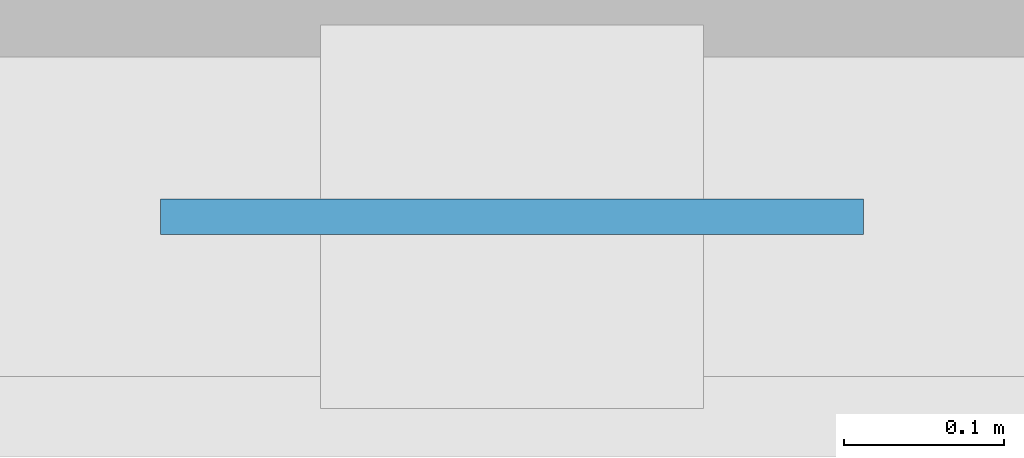
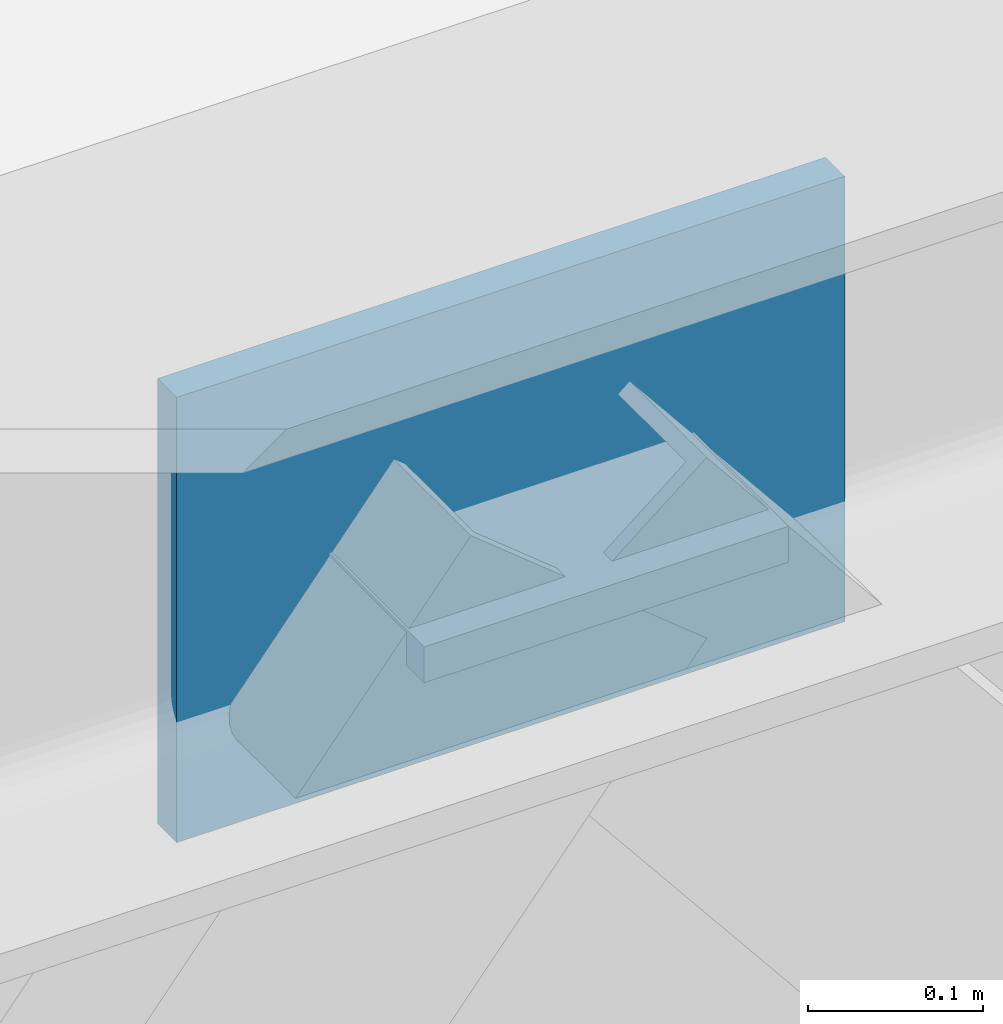
# One storey, part 70 of 129: 1 plate.
"""IFC4 building model written with IfcOpenShell, lengths in metres."""

from ifc_helpers import new_model, si_unit, direction, frame, origin, origin_2d, place, context, subcontext, project, spatial, rectangle, extrude, material, layer, layer_set, type_object, element, save


model = new_model("IFC4")

# Units and contexts
model_context = context("Model", 3, precision=1e-05, world=origin(), true_north=direction((0.0, 1.0)))
body_context = subcontext(model_context, "Body", "Model", "MODEL_VIEW")
ifc_project = project(units=[si_unit("LENGTHUNIT", "METRE"), si_unit("AREAUNIT", "SQUARE_METRE"), si_unit("VOLUMEUNIT", "CUBIC_METRE"), si_unit("PLANEANGLEUNIT", "RADIAN"), si_unit("MASSUNIT", "GRAM", prefix="KILO")], contexts=[model_context])

# Site, building, storey
site_placement = place(None, origin())
site = spatial("IfcSite", under=ifc_project, at=site_placement, CompositionType="ELEMENT")
building_placement = place(site_placement, origin())
building = spatial("IfcBuilding", under=site, at=building_placement, Name="Sundkrona Museum", CompositionType="ELEMENT")
storey_placement = place(building_placement, origin())
storey = spatial("IfcBuildingStorey", under=building, at=storey_placement, Name="L00", CompositionType="ELEMENT", Elevation=0.0)

# Plate
ifc_material = material(Name="Steel S355J2", Category="steel")
ifc_layer = layer(ifc_material, 0.02197265625)
ifc_layer_set = layer_set([ifc_layer], Name="Steel S355J2")
plate_type = type_object("IfcPlateType", Name="GP-5", PredefinedType="USERDEFINED", material=ifc_layer_set)
plate_placement = place(storey_placement, frame((68.0, 78.0, 4.784912109375), z_axis=(0.0, 0.0, 1.0), x_axis=(1.0, 0.0, 0.0)))
element("IfcPlate", 1, at=plate_placement, inside=storey, type_object=plate_type, Name="L00 Chevron Apex Gusset Plate 019", ObjectType="GUSSET PLATE", PredefinedType="USERDEFINED", context=body_context, shape_type="SweptSolid", body=[
    extrude(rectangle(XDim=0.43994140625, YDim=0.02197265625, at=origin_2d()), origin(), (0.0, 0.0, 1.0), 0.31005859375),
])

save(model, "model.ifc")
